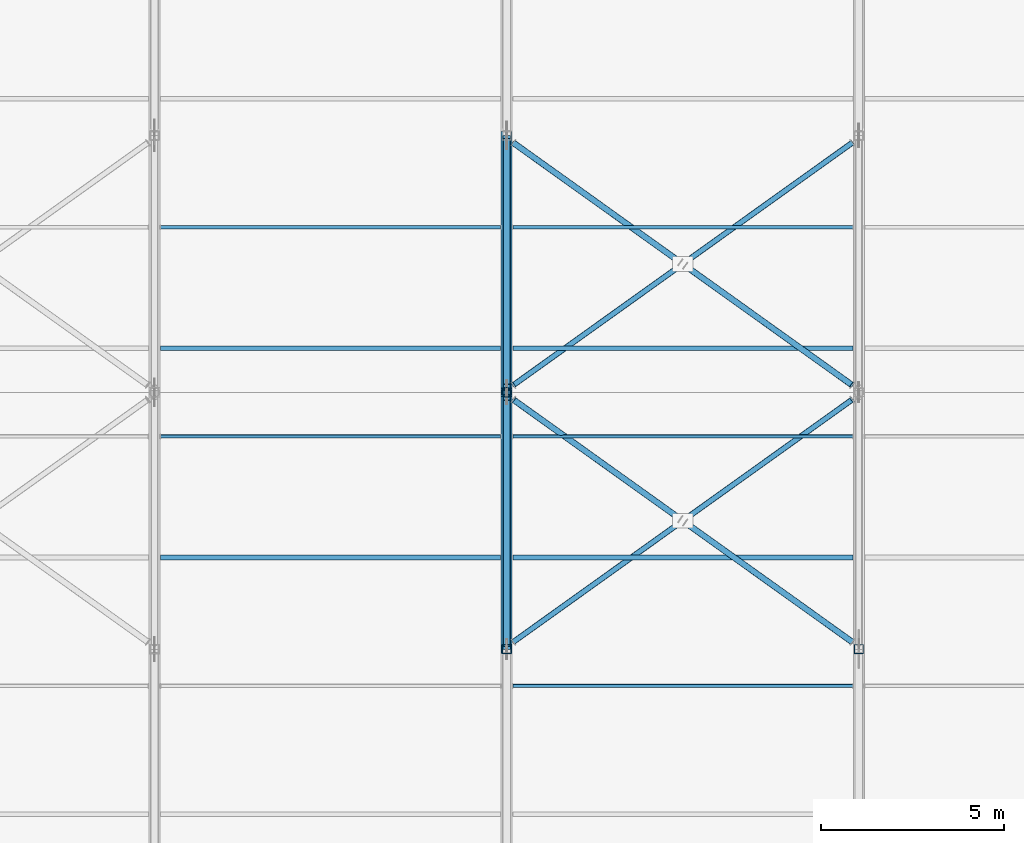
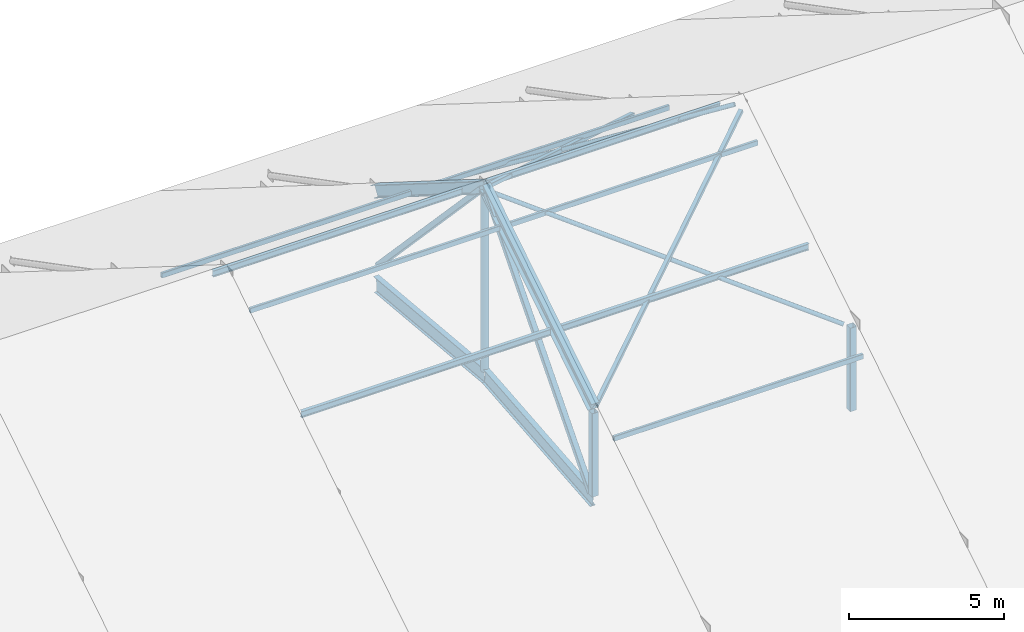
# One storey, part 9 of 66: 22 members, 2 beams.
"""IFC4 building model written with IfcOpenShell, lengths in metres."""

from ifc_helpers import new_model, si_unit, direction, frame, origin, origin_2d, place, context, subcontext, project, spatial, hollow_rectangle, hollow_circle, i_section, extrude, material, material_profile, profile_set, type_object, element, save


model = new_model("IFC4")

# Units and contexts
model_context = context("Model", 3, precision=1e-05, world=origin(), true_north=direction((0.0, 1.0)))
body_context = subcontext(model_context, "Body", "Model", "MODEL_VIEW")
ifc_project = project(units=[si_unit("LENGTHUNIT", "METRE"), si_unit("AREAUNIT", "SQUARE_METRE"), si_unit("VOLUMEUNIT", "CUBIC_METRE"), si_unit("PLANEANGLEUNIT", "RADIAN"), si_unit("MASSUNIT", "GRAM", prefix="KILO")], contexts=[model_context])

# Site, building, storey
site_placement = place(None, origin())
site = spatial("IfcSite", under=ifc_project, at=site_placement, CompositionType="ELEMENT")
building_placement = place(site_placement, origin())
building = spatial("IfcBuilding", under=site, at=building_placement, Name="Yeouljin Market Hall", CompositionType="ELEMENT")
storey_placement = place(building_placement, frame((0.0, 0.0, 23.39990234375)))
storey = spatial("IfcBuildingStorey", under=building, at=storey_placement, Name="RF", CompositionType="ELEMENT", Elevation=23.39990234375)

# Beams
ifc_material_1 = material(Name="Steel SM355", Category="steel")
ifc_material_profile_1 = material_profile(ifc_material_1, i_section(OverallWidth=0.199951171875, OverallDepth=0.60009765625, WebThickness=0.010986328125, FlangeThickness=0.01708984375, FilletRadius=0.02197265625, at=origin_2d()), Name="H-600x200x11x17")
ifc_profile_set_1 = profile_set([ifc_material_profile_1], Name="Steel SM355")
beam_type = type_object("IfcBeamType", Name="Beam_H-600x200x11x17", PredefinedType="BEAM", material=ifc_profile_set_1)
for number, where, z_axis, x_axis, name in (
    (1, (102.60009765625, 50.02001953125, -7.144287109375), (0.0, 0.995742692808, 0.092176405441), (-1.0, 0.0, 0.0), "Truss AT-08 arch rib 3"),
    (2, (102.60009765625, 57.02001953125, -6.5), (0.0, 0.995742692808, -0.092176405441), (-1.0, 0.0, 0.0), "Truss AT-08 arch rib 4"),
):
    element("IfcBeam", number, at=place(storey_placement, frame(where, z_axis=z_axis, x_axis=x_axis)), inside=storey, type_object=beam_type, Name=name, PredefinedType="BEAM", context=body_context, shape_type="SweptSolid", body=[
        extrude(i_section(OverallWidth=0.199951171875, OverallDepth=0.60009765625, WebThickness=0.010986328125, FlangeThickness=0.01708984375, FilletRadius=0.02197265625, at=origin_2d()), origin(), (0.0, 0.0, 1.0), 6.98974609375),
    ])

# Members
ifc_material_2 = material(Name="Steel SS275", Category="steel")
ifc_material_profile_2 = material_profile(ifc_material_2, hollow_circle(Radius=0.08251953125, WallThickness=0.006103515625, at=origin_2d()), Name="CHS-165.2x6")
ifc_profile_set_2 = profile_set([ifc_material_profile_2], Name="Steel SS275")
member_type_1 = type_object("IfcMemberType", Name="Brace_CHS-165.2x6", PredefinedType="BRACE", material=ifc_profile_set_2)
member_1_placement = place(storey_placement, frame((102.785888671875, 56.800048828125, 0.72021484375), z_axis=(0.758334968032, -0.542378256538, -0.361599091669), x_axis=(0.581742638164, 0.813372917512, 0.0)))
element("IfcMember", 3, at=member_1_placement, inside=storey, type_object=member_type_1, Name="Roof wind brace 007B1", PredefinedType="BRACE", context=body_context, shape_type="SweptSolid", body=[
    extrude(hollow_circle(Radius=0.08251953125, WallThickness=0.006103515625, at=origin_2d()), origin(), (0.0, 0.0, 1.0), 5.989501953125),
])
for number, where, z_axis, x_axis, name in (
    (4, (107.471923828125, 53.448486328125, -1.514404296875), (0.75834614511, -0.542386250636, -0.361563658736), (0.581742638164, 0.813372917512, 0.0), "Roof wind brace 007B2"),
    (5, (102.785888671875, 63.800048828125, -3.679931640625), (0.75834614511, -0.542386250636, 0.361563658736), (0.581742638164, 0.813372917512, 0.0), "Roof wind brace 008B1"),
):
    element("IfcMember", number, at=place(storey_placement, frame(where, z_axis=z_axis, x_axis=x_axis)), inside=storey, type_object=member_type_1, Name=name, PredefinedType="BRACE", context=body_context, shape_type="SweptSolid", body=[
        extrude(hollow_circle(Radius=0.08251953125, WallThickness=0.006103515625, at=origin_2d()), origin(), (0.0, 0.0, 1.0), 5.9892578125),
    ])
member_2_placement = place(storey_placement, frame((107.471923828125, 60.448486328125, -1.445556640625), z_axis=(0.758334968032, -0.542378256538, 0.361599091669), x_axis=(0.581742638164, 0.813372917512, 0.0)))
element("IfcMember", 6, at=member_2_placement, inside=storey, type_object=member_type_1, Name="Roof wind brace 008B2", PredefinedType="BRACE", context=body_context, shape_type="SweptSolid", body=[
    extrude(hollow_circle(Radius=0.08251953125, WallThickness=0.006103515625, at=origin_2d()), origin(), (0.0, 0.0, 1.0), 5.989501953125),
])
ifc_material_3 = material(Name="Steel SS275", Category="steel")
ifc_material_profile_3 = material_profile(ifc_material_3, hollow_rectangle(XDim=0.14990234375, YDim=0.14990234375, WallThickness=0.006103515625, InnerFilletRadius=0.006103515625, OuterFilletRadius=0.011962890625, at=origin_2d()), Name="SHS-150x150x6")
ifc_profile_set_3 = profile_set([ifc_material_profile_3], Name="Steel SS275")
member_type_2 = type_object("IfcMemberType", Name="Brace_SHS-150x150x6", PredefinedType="BRACE", material=ifc_profile_set_3)
for number, where, z_axis, x_axis, name in (
    (7, (102.785888671875, 50.199951171875, -3.679931640625), (0.758336637045, 0.542379825543, 0.361593237988), (-0.581742904466, 0.813372727047, 0.0), "Roof wind brace 007A"),
    (8, (102.785888671875, 57.199951171875, 0.72021484375), (0.758336637045, 0.542379825543, -0.361593237988), (-0.581742904466, 0.813372727047, 0.0), "Roof wind brace 008A"),
):
    element("IfcMember", number, at=place(storey_placement, frame(where, z_axis=z_axis, x_axis=x_axis)), inside=storey, type_object=member_type_2, Name=name, PredefinedType="BRACE", context=body_context, shape_type="SweptSolid", body=[
        extrude(hollow_rectangle(XDim=0.14990234375, YDim=0.14990234375, WallThickness=0.006103515625, InnerFilletRadius=0.006103515625, OuterFilletRadius=0.011962890625, at=origin_2d()), origin(), (0.0, 0.0, 1.0), 12.168701171875),
    ])
ifc_material_4 = material(Name="Steel SM355", Category="steel")
ifc_material_profile_4 = material_profile(ifc_material_4, hollow_rectangle(XDim=0.199951171875, YDim=0.199951171875, WallThickness=0.008056640625, InnerFilletRadius=0.008056640625, OuterFilletRadius=0.01611328125, at=origin_2d()), Name="SHS-200x200x8")
ifc_profile_set_4 = profile_set([ifc_material_profile_4], Name="Steel SM355")
member_type_3 = type_object("IfcMemberType", Name="Brace_SHS-200x200x8", PredefinedType="BRACE", material=ifc_profile_set_4)
member_3_placement = place(storey_placement, frame((102.60009765625, 50.144287109375, -6.978271484375), z_axis=(0.0, 0.656456540155, 0.754363845162), x_axis=(-1.0, 0.0, 0.0)))
element("IfcMember", 9, at=member_3_placement, inside=storey, type_object=member_type_3, Name="Truss AT-08 web diagonal 3", PredefinedType="BRACE", context=body_context, shape_type="SweptSolid", body=[
    extrude(hollow_rectangle(XDim=0.199951171875, YDim=0.199951171875, WallThickness=0.008056640625, InnerFilletRadius=0.008056640625, OuterFilletRadius=0.01611328125, at=origin_2d()), origin(), (0.0, 0.0, 1.0), 10.2236328125),
])
member_4_placement = place(storey_placement, frame((102.60009765625, 57.151123046875, 0.740234375), z_axis=(0.0, 0.687208071692, -0.726460643257), x_axis=(-1.0, 0.0, 0.0)))
element("IfcMember", 10, at=member_4_placement, inside=storey, type_object=member_type_3, Name="Truss AT-08 web diagonal 4", PredefinedType="BRACE", context=body_context, shape_type="SweptSolid", body=[
    extrude(hollow_rectangle(XDim=0.199951171875, YDim=0.199951171875, WallThickness=0.008056640625, InnerFilletRadius=0.008056640625, OuterFilletRadius=0.01611328125, at=origin_2d()), origin(), (0.0, 0.0, 1.0), 9.746337890625),
])
ifc_material_5 = material(Name="Steel SM355", Category="steel")
ifc_material_profile_5 = material_profile(ifc_material_5, i_section(OverallWidth=0.300048828125, OverallDepth=0.43994140625, WebThickness=0.010986328125, FlangeThickness=0.01806640625, FilletRadius=0.02001953125, at=origin_2d()), Name="H-440x300x11x18")
ifc_profile_set_5 = profile_set([ifc_material_profile_5], Name="Steel SM355")
member_type_4 = type_object("IfcMemberType", Name="Chord_H-440x300x11x18", PredefinedType="CHORD", material=ifc_profile_set_5)
for number, where, z_axis, x_axis, name in (
    (11, (102.60009765625, 50.0, -3.5), (0.0, 0.846628566691, 0.532184244471), (-1.0, 0.0, 0.0), "Truss AT-08 top chord 3"),
    (12, (102.60009765625, 57.0, 0.900146484375), (0.0, 0.846628566691, -0.532184244471), (-1.0, 0.0, 0.0), "Truss AT-08 top chord 4"),
):
    element("IfcMember", number, at=place(storey_placement, frame(where, z_axis=z_axis, x_axis=x_axis)), inside=storey, type_object=member_type_4, Name=name, PredefinedType="CHORD", context=body_context, shape_type="SweptSolid", body=[
        extrude(i_section(OverallWidth=0.300048828125, OverallDepth=0.43994140625, WebThickness=0.010986328125, FlangeThickness=0.01806640625, FilletRadius=0.02001953125, at=origin_2d()), origin(), (0.0, 0.0, 1.0), 8.26806640625),
    ])
ifc_material_6 = material(Name="Steel SM355", Category="steel")
ifc_material_profile_6 = material_profile(ifc_material_6, i_section(OverallWidth=0.125, OverallDepth=0.25, WebThickness=0.006103515625, FlangeThickness=0.009033203125, FilletRadius=0.011962890625, at=origin_2d()), Name="H-250x125x6x9")
ifc_profile_set_6 = profile_set([ifc_material_profile_6], Name="Steel SM355")
member_type_5 = type_object("IfcMemberType", Name="Purlin_H-250x125x6x9", PredefinedType="PURLIN", material=ifc_profile_set_6)
for number, where, z_axis, x_axis, name in (
    (13, (93.166015625, 52.5, -2.008544921875), (1.0, 0.0, 0.0), (0.0, 1.0, 0.0), "Nave roof purlin 077"),
    (14, (93.166015625, 58.199951171875, 0.06591796875), (1.0, 0.0, 0.0), (0.0, 1.0, 0.0), "Nave roof purlin 079"),
):
    element("IfcMember", number, at=place(storey_placement, frame(where, z_axis=z_axis, x_axis=x_axis)), inside=storey, type_object=member_type_5, Name=name, PredefinedType="PURLIN", context=body_context, shape_type="SweptSolid", body=[
        extrude(i_section(OverallWidth=0.125, OverallDepth=0.25, WebThickness=0.006103515625, FlangeThickness=0.009033203125, FilletRadius=0.011962890625, at=origin_2d()), origin(), (0.0, 0.0, 1.0), 9.26806640625),
    ])
for number, where, z_axis, x_axis, name in (
    (15, (102.76611328125, 52.5, -2.008544921875), (1.0, 0.0, 0.0), (0.0, 1.0, 0.0), "Nave roof purlin 089"),
    (16, (102.76611328125, 58.199951171875, 0.06591796875), (1.0, 0.0, 0.0), (0.0, 1.0, 0.0), "Nave roof purlin 091"),
):
    element("IfcMember", number, at=place(storey_placement, frame(where, z_axis=z_axis, x_axis=x_axis)), inside=storey, type_object=member_type_5, Name=name, PredefinedType="PURLIN", context=body_context, shape_type="SweptSolid", body=[
        extrude(i_section(OverallWidth=0.125, OverallDepth=0.25, WebThickness=0.006103515625, FlangeThickness=0.009033203125, FilletRadius=0.011962890625, at=origin_2d()), origin(), (0.0, 0.0, 1.0), 9.267822265625),
    ])
ifc_material_7 = material(Name="Steel SS275", Category="steel")
ifc_material_profile_7 = material_profile(ifc_material_7, hollow_rectangle(XDim=0.10009765625, YDim=0.199951171875, WallThickness=0.006103515625, InnerFilletRadius=0.006103515625, OuterFilletRadius=0.011962890625, at=origin_2d()), Name="RHS-200x100x6")
ifc_profile_set_7 = profile_set([ifc_material_profile_7], Name="Steel SS275")
member_type_6 = type_object("IfcMemberType", Name="Purlin_RHS-200x100x6", PredefinedType="PURLIN", material=ifc_profile_set_7)
for number, where, z_axis, x_axis, name in (
    (17, (93.166015625, 55.800048828125, 0.06591796875), (1.0, 0.0, 0.0), (0.0, 1.0, 0.0), "Nave roof purlin 078"),
    (18, (93.166015625, 61.5, -2.008544921875), (1.0, 0.0, 0.0), (0.0, 1.0, 0.0), "Nave roof purlin 080"),
):
    element("IfcMember", number, at=place(storey_placement, frame(where, z_axis=z_axis, x_axis=x_axis)), inside=storey, type_object=member_type_6, Name=name, PredefinedType="PURLIN", context=body_context, shape_type="SweptSolid", body=[
        extrude(hollow_rectangle(XDim=0.10009765625, YDim=0.199951171875, WallThickness=0.006103515625, InnerFilletRadius=0.006103515625, OuterFilletRadius=0.011962890625, at=origin_2d()), origin(), (0.0, 0.0, 1.0), 9.26806640625),
    ])
for number, where, z_axis, x_axis, name in (
    (19, (102.76611328125, 49.0, -4.20849609375), (1.0, 0.0, 0.0), (0.0, 1.0, 0.0), "Nave roof purlin 088"),
    (20, (102.76611328125, 55.800048828125, 0.06591796875), (1.0, 0.0, 0.0), (0.0, 1.0, 0.0), "Nave roof purlin 090"),
    (21, (102.76611328125, 61.5, -2.008544921875), (1.0, 0.0, 0.0), (0.0, 1.0, 0.0), "Nave roof purlin 092"),
):
    element("IfcMember", number, at=place(storey_placement, frame(where, z_axis=z_axis, x_axis=x_axis)), inside=storey, type_object=member_type_6, Name=name, PredefinedType="PURLIN", context=body_context, shape_type="SweptSolid", body=[
        extrude(hollow_rectangle(XDim=0.10009765625, YDim=0.199951171875, WallThickness=0.006103515625, InnerFilletRadius=0.006103515625, OuterFilletRadius=0.011962890625, at=origin_2d()), origin(), (0.0, 0.0, 1.0), 9.267822265625),
    ])
ifc_material_8 = material(Name="Steel SM355", Category="steel")
ifc_material_profile_8 = material_profile(ifc_material_8, hollow_circle(Radius=0.1337890625, WallThickness=0.009033203125, at=origin_2d()), Name="CHS-267.4x9")
ifc_profile_set_8 = profile_set([ifc_material_profile_8], Name="Steel SM355")
member_type_7 = type_object("IfcMemberType", Name="Strut_CHS-267.4x9", PredefinedType="STRUT", material=ifc_profile_set_8)
member_5_placement = place(storey_placement, frame((102.60009765625, 57.0, -6.31982421875), z_axis=(0.0, 0.0, 1.0), x_axis=(1.0, 0.0, 0.0)))
element("IfcMember", 22, at=member_5_placement, inside=storey, type_object=member_type_7, Name="Truss AT-08 vertical strut 3", PredefinedType="STRUT", context=body_context, shape_type="SweptSolid", body=[
    extrude(hollow_circle(Radius=0.1337890625, WallThickness=0.009033203125, at=origin_2d()), origin(), (0.0, 0.0, 1.0), 7.0400390625),
])
ifc_material_9 = material(Name="Steel SM355", Category="steel")
ifc_material_profile_9 = material_profile(ifc_material_9, hollow_rectangle(XDim=0.25, YDim=0.25, WallThickness=0.009033203125, InnerFilletRadius=0.009033203125, OuterFilletRadius=0.01611328125, at=origin_2d()), Name="SHS-250x250x9")
ifc_profile_set_9 = profile_set([ifc_material_profile_9], Name="Steel SM355")
member_type_8 = type_object("IfcMemberType", Name="Strut_SHS-250x250x9", PredefinedType="STRUT", material=ifc_profile_set_9)
for number, where, z_axis, x_axis, name in (
    (23, (102.60009765625, 50.0, -6.96435546875), (0.0, 0.0, 1.0), (1.0, 0.0, 0.0), "Truss AT-08 vertical strut 2"),
    (24, (112.199951171875, 50.0, -6.96435546875), (0.0, 0.0, 1.0), (1.0, 0.0, 0.0), "Truss AT-09 vertical strut 2"),
):
    element("IfcMember", number, at=place(storey_placement, frame(where, z_axis=z_axis, x_axis=x_axis)), inside=storey, type_object=member_type_8, Name=name, PredefinedType="STRUT", context=body_context, shape_type="SweptSolid", body=[
        extrude(hollow_rectangle(XDim=0.25, YDim=0.25, WallThickness=0.009033203125, InnerFilletRadius=0.009033203125, OuterFilletRadius=0.01611328125, at=origin_2d()), origin(), (0.0, 0.0, 1.0), 3.284423828125),
    ])

save(model, "model.ifc")
